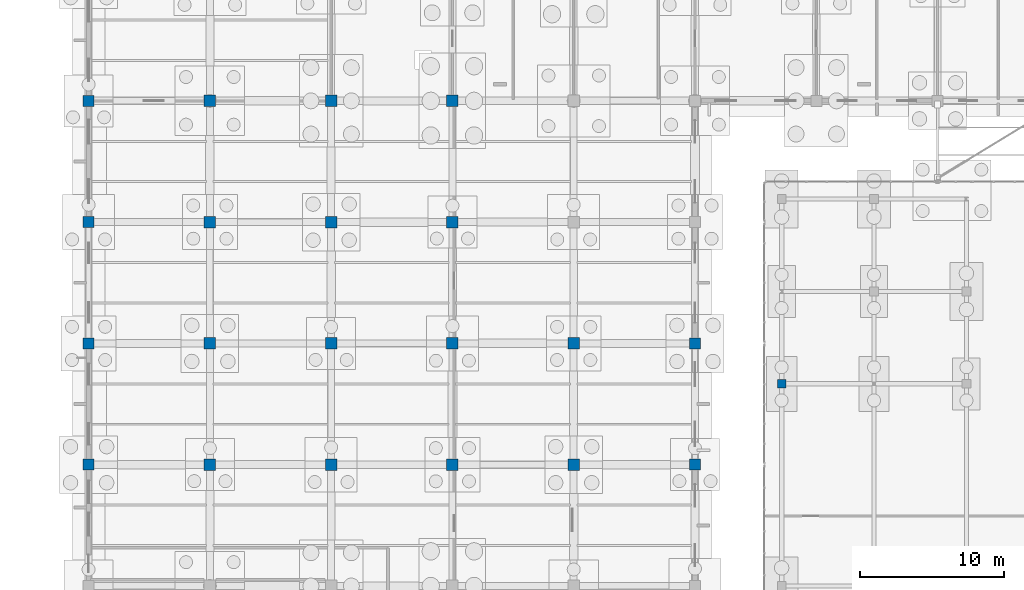
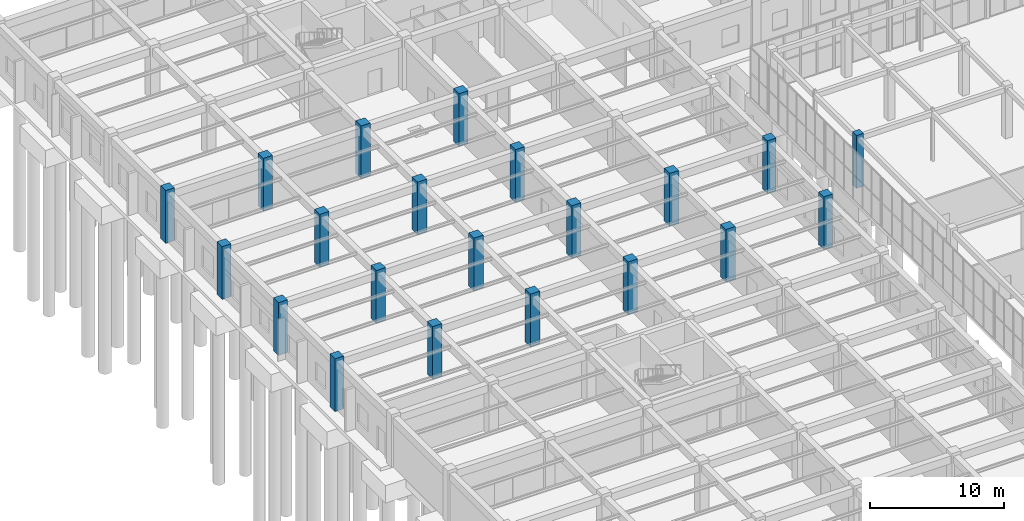
# One storey, part 30 of 192: 21 columns.
"""IFC4 building model written with IfcOpenShell, lengths in metres."""

from ifc_helpers import new_model, si_unit, direction, frame, origin, origin_2d, place, context, subcontext, project, spatial, rectangle, extrude, material, material_profile, profile_set, type_object, element, save


model = new_model("IFC4")

# Units and contexts
model_context = context("Model", 3, precision=1e-05, world=origin(), true_north=direction((0.0, 1.0)))
body_context = subcontext(model_context, "Body", "Model", "MODEL_VIEW")
ifc_project = project(units=[si_unit("LENGTHUNIT", "METRE"), si_unit("AREAUNIT", "SQUARE_METRE"), si_unit("VOLUMEUNIT", "CUBIC_METRE"), si_unit("PLANEANGLEUNIT", "RADIAN"), si_unit("MASSUNIT", "GRAM", prefix="KILO")], contexts=[model_context])

# Site, building, storey
site_placement = place(None, origin())
site = spatial("IfcSite", under=ifc_project, at=site_placement, CompositionType="ELEMENT")
building_placement = place(site_placement, origin())
building = spatial("IfcBuilding", under=site, at=building_placement, Name="Trelvath General Hospital", CompositionType="ELEMENT")
storey_placement = place(building_placement, origin())
storey = spatial("IfcBuildingStorey", under=building, at=storey_placement, Name="L00", CompositionType="ELEMENT", Elevation=0.0)

# Columns
ifc_material_1 = material(Name="Concrete C40/50", Category="concrete")
ifc_material_profile_1 = material_profile(ifc_material_1, rectangle(XDim=0.60009765625, YDim=0.60009765625, at=origin_2d()), Name="RC600x600")
ifc_profile_set_1 = profile_set([ifc_material_profile_1], Name="Concrete C40/50")
column_type_1 = type_object("IfcColumnType", Name="Column RC600", PredefinedType="COLUMN", material=ifc_profile_set_1)
column_placement = place(storey_placement, frame((48.0, 72.800048828125, 0.0), z_axis=(0.0, 0.0, 1.0), x_axis=(1.0, 0.0, 0.0)))
element("IfcColumn", 1, at=column_placement, inside=storey, type_object=column_type_1, Name="Cube Interior Column CC-W26 L00", PredefinedType="COLUMN", context=body_context, shape_type="SweptSolid", body=[
    extrude(rectangle(XDim=0.60009765625, YDim=0.60009765625, at=origin_2d()), origin(), (0.0, 0.0, 1.0), 4.800048828125),
])
ifc_material_2 = material(Name="Concrete C40/50", Category="concrete")
ifc_material_profile_2 = material_profile(ifc_material_2, rectangle(XDim=0.760009765625, YDim=0.760009765625, at=origin_2d()), Name="RC760x760")
ifc_profile_set_2 = profile_set([ifc_material_profile_2], Name="Concrete C40/50")
column_type_2 = type_object("IfcColumnType", Name="Column RC760", PredefinedType="COLUMN", material=ifc_profile_set_2)
for number, where, z_axis, x_axis, name in (
    (2, (0.0, 67.199951171875, 0.0), (0.0, 0.0, 1.0), (1.0, 0.0, 0.0), "Column C-1I L00"),
    (3, (0.0, 75.60009765625, 0.0), (0.0, 0.0, 1.0), (1.0, 0.0, 0.0), "Column C-1J L00"),
    (4, (0.0, 84.0, 0.0), (0.0, 0.0, 1.0), (1.0, 0.0, 0.0), "Column C-1K L00"),
    (5, (0.0, 92.39990234375, 0.0), (0.0, 0.0, 1.0), (1.0, 0.0, 0.0), "Column C-1L L00"),
    (6, (42.0, 67.199951171875, 0.0), (0.0, 0.0, 1.0), (1.0, 0.0, 0.0), "Column C-6I L00"),
    (7, (42.0, 75.60009765625, 0.0), (0.0, 0.0, 1.0), (1.0, 0.0, 0.0), "Column C-6J L00"),
):
    element("IfcColumn", number, at=place(storey_placement, frame(where, z_axis=z_axis, x_axis=x_axis)), inside=storey, type_object=column_type_2, Name=name, PredefinedType="COLUMN", context=body_context, shape_type="SweptSolid", body=[
        extrude(rectangle(XDim=0.760009765625, YDim=0.760009765625, at=origin_2d()), origin(), (0.0, 0.0, 1.0), 4.800048828125),
    ])
ifc_material_3 = material(Name="Concrete C40/50", Category="concrete")
ifc_material_profile_3 = material_profile(ifc_material_3, rectangle(XDim=0.800048828125, YDim=0.800048828125, at=origin_2d()), Name="RC800x800")
ifc_profile_set_3 = profile_set([ifc_material_profile_3], Name="Concrete C40/50")
column_type_3 = type_object("IfcColumnType", Name="Column RC800", PredefinedType="COLUMN", material=ifc_profile_set_3)
for number, where, z_axis, x_axis, name in (
    (8, (8.39990234375, 67.199951171875, 0.0), (0.0, 0.0, 1.0), (1.0, 0.0, 0.0), "Column C-2I L00"),
    (9, (8.39990234375, 75.60009765625, 0.0), (0.0, 0.0, 1.0), (1.0, 0.0, 0.0), "Column C-2J L00"),
    (10, (8.39990234375, 84.0, 0.0), (0.0, 0.0, 1.0), (1.0, 0.0, 0.0), "Column C-2K L00"),
    (11, (8.39990234375, 92.39990234375, 0.0), (0.0, 0.0, 1.0), (1.0, 0.0, 0.0), "Column C-2L L00"),
    (12, (16.800048828125, 67.199951171875, 0.0), (0.0, 0.0, 1.0), (1.0, 0.0, 0.0), "Column C-3I L00"),
    (13, (16.800048828125, 75.60009765625, 0.0), (0.0, 0.0, 1.0), (1.0, 0.0, 0.0), "Column C-3J L00"),
    (14, (16.800048828125, 84.0, 0.0), (0.0, 0.0, 1.0), (1.0, 0.0, 0.0), "Column C-3K L00"),
    (15, (16.800048828125, 92.39990234375, 0.0), (0.0, 0.0, 1.0), (1.0, 0.0, 0.0), "Column C-3L L00"),
    (16, (25.199951171875, 67.199951171875, 0.0), (0.0, 0.0, 1.0), (1.0, 0.0, 0.0), "Column C-4I L00"),
    (17, (25.199951171875, 75.60009765625, 0.0), (0.0, 0.0, 1.0), (1.0, 0.0, 0.0), "Column C-4J L00"),
    (18, (25.199951171875, 84.0, 0.0), (0.0, 0.0, 1.0), (1.0, 0.0, 0.0), "Column C-4K L00"),
    (19, (25.199951171875, 92.39990234375, 0.0), (0.0, 0.0, 1.0), (1.0, 0.0, 0.0), "Column C-4L L00"),
    (20, (33.60009765625, 67.199951171875, 0.0), (0.0, 0.0, 1.0), (1.0, 0.0, 0.0), "Column C-5I L00"),
    (21, (33.60009765625, 75.60009765625, 0.0), (0.0, 0.0, 1.0), (1.0, 0.0, 0.0), "Column C-5J L00"),
):
    element("IfcColumn", number, at=place(storey_placement, frame(where, z_axis=z_axis, x_axis=x_axis)), inside=storey, type_object=column_type_3, Name=name, PredefinedType="COLUMN", context=body_context, shape_type="SweptSolid", body=[
        extrude(rectangle(XDim=0.800048828125, YDim=0.800048828125, at=origin_2d()), origin(), (0.0, 0.0, 1.0), 4.800048828125),
    ])

save(model, "model.ifc")
